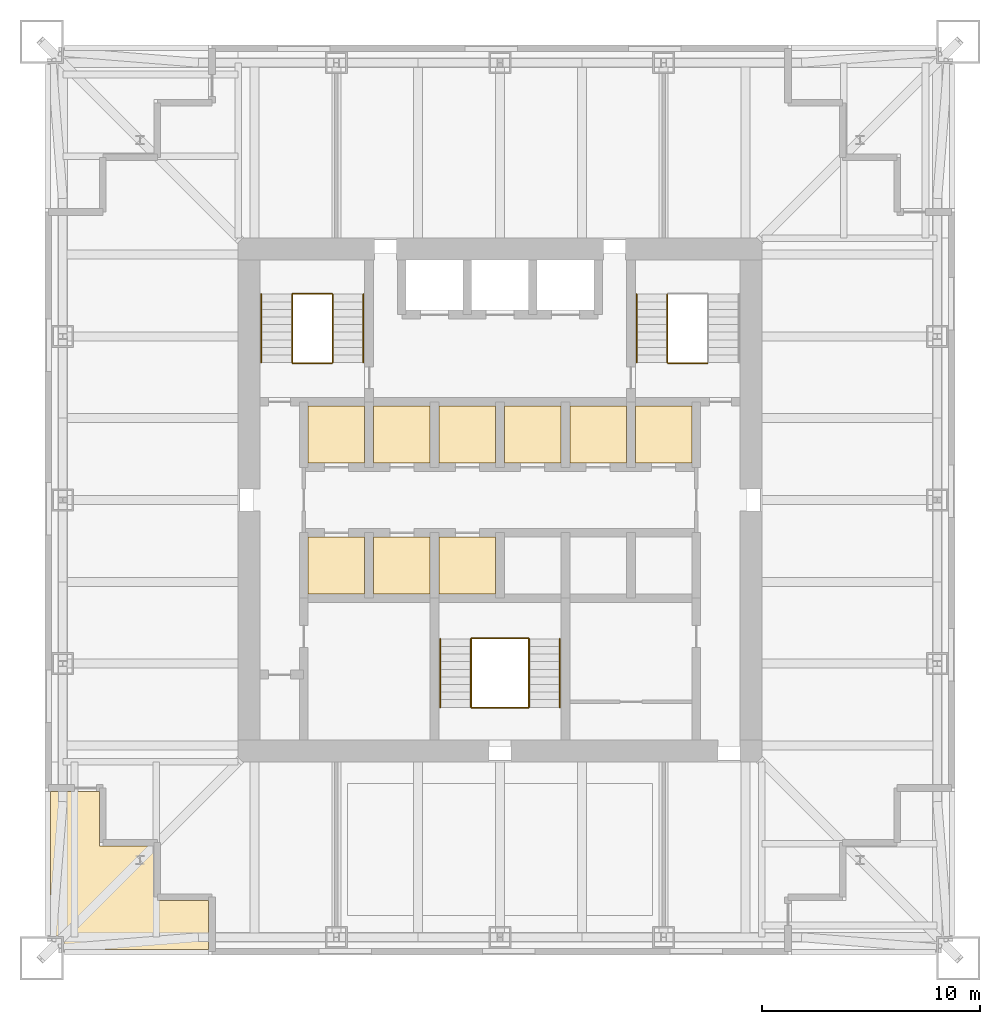
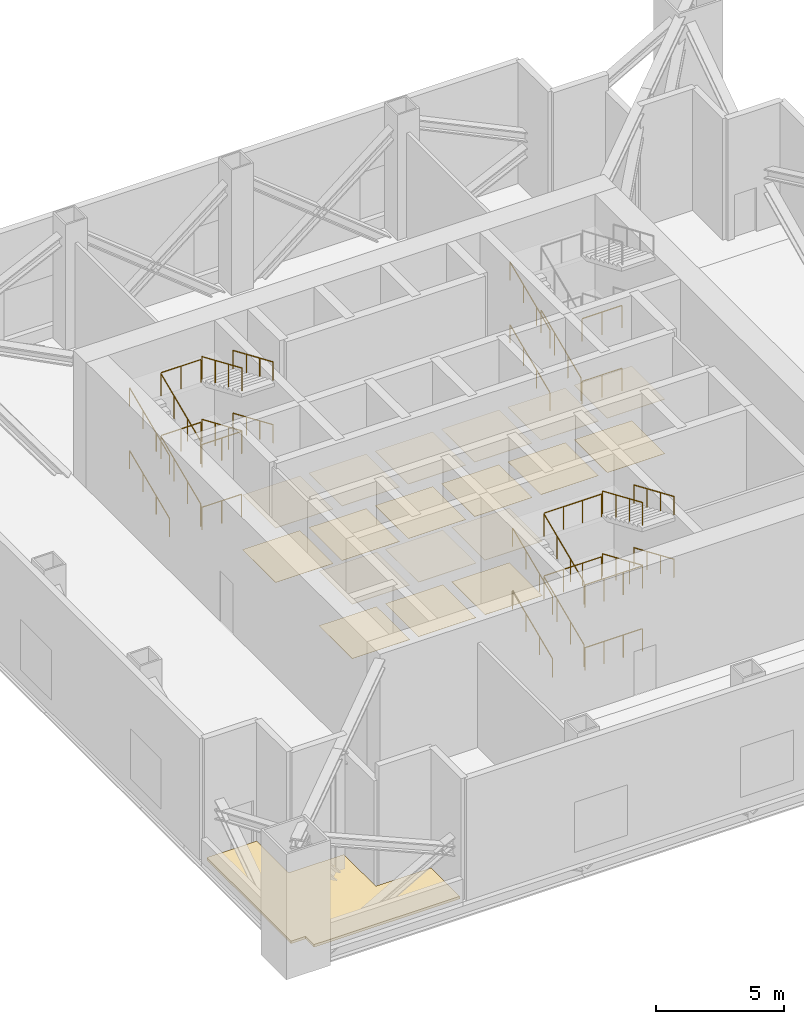
# One storey, part 6 of 7: 29 railings, 19 coverings.
"""IFC4 building model written with IfcOpenShell, lengths in metres."""

from ifc_helpers import new_model, si_unit, direction, frame, origin, origin_2d, place, context, subcontext, project, spatial, polyline, circle, outline, extrude, material, layer, layer_set, type_object, element, save


model = new_model("IFC4")

# Units and contexts
model_context = context("Model", 3, precision=1e-05, world=origin(), true_north=direction((0.0, 1.0)))
body_context = subcontext(model_context, "Body", "Model", "MODEL_VIEW")
ifc_project = project(units=[si_unit("LENGTHUNIT", "METRE"), si_unit("AREAUNIT", "SQUARE_METRE"), si_unit("VOLUMEUNIT", "CUBIC_METRE"), si_unit("PLANEANGLEUNIT", "RADIAN"), si_unit("MASSUNIT", "GRAM", prefix="KILO")], contexts=[model_context])

# Site, building, storey
site_placement = place(None, origin())
site = spatial("IfcSite", under=ifc_project, at=site_placement, CompositionType="ELEMENT")
building_placement = place(site_placement, origin())
building = spatial("IfcBuilding", under=site, at=building_placement, Name="Tarangal Relay Tower", CompositionType="ELEMENT")
storey_placement = place(building_placement, frame((0.0, 0.0, 335.89990234375)))
storey = spatial("IfcBuildingStorey", under=building, at=storey_placement, Name="L75", CompositionType="ELEMENT", Elevation=335.89990234375)

# Coverings
ifc_material_1 = material(Name="Anti-static vinyl flooring", Category="plastic")
ifc_layer_1 = layer(ifc_material_1, 0.010009765625)
ifc_layer_set_1 = layer_set([ifc_layer_1], Name="Anti-static vinyl floor")
covering_type_1 = type_object("IfcCoveringType", Name="Anti-static vinyl floor", PredefinedType="FLOORING", material=ifc_layer_set_1)
covering_1_placement = place(storey_placement, origin())
element("IfcCovering", 1, at=covering_1_placement, inside=storey, type_object=covering_type_1, Name="Floor finish FL1 L75-D1", PredefinedType="FLOORING", context=body_context, shape_type="SweptSolid", body=[
    extrude(outline(polyline([(-8.800048828125, 1.699951171875), (-6.199951171875, 1.699951171875), (-6.199951171875, 4.300048828125), (-8.800048828125, 4.300048828125), (-8.800048828125, 1.699951171875)])), origin(), (0.0, 0.0, 1.0), 0.010009765625),
])
covering_2_placement = place(storey_placement, origin())
element("IfcCovering", 2, at=covering_2_placement, inside=storey, type_object=covering_type_1, Name="Floor finish FL1 L75-D2", PredefinedType="FLOORING", context=body_context, shape_type="SweptSolid", body=[
    extrude(outline(polyline([(-5.800048828125, 1.699951171875), (-3.199951171875, 1.699951171875), (-3.199951171875, 4.300048828125), (-5.800048828125, 4.300048828125), (-5.800048828125, 1.699951171875)])), origin(), (0.0, 0.0, 1.0), 0.010009765625),
])
covering_3_placement = place(storey_placement, origin())
element("IfcCovering", 3, at=covering_3_placement, inside=storey, type_object=covering_type_1, Name="Floor finish FL1 L75-D3", PredefinedType="FLOORING", context=body_context, shape_type="SweptSolid", body=[
    extrude(outline(polyline([(-2.800048828125, 1.699951171875), (-0.199951171875, 1.699951171875), (-0.199951171875, 4.300048828125), (-2.800048828125, 4.300048828125), (-2.800048828125, 1.699951171875)])), origin(), (0.0, 0.0, 1.0), 0.010009765625),
])
covering_4_placement = place(storey_placement, origin())
element("IfcCovering", 4, at=covering_4_placement, inside=storey, type_object=covering_type_1, Name="Floor finish FL1 L75-T1", PredefinedType="FLOORING", context=body_context, shape_type="SweptSolid", body=[
    extrude(outline(polyline([(0.199951171875, 1.699951171875), (2.800048828125, 1.699951171875), (2.800048828125, 4.300048828125), (0.199951171875, 4.300048828125), (0.199951171875, 1.699951171875)])), origin(), (0.0, 0.0, 1.0), 0.010009765625),
])
covering_5_placement = place(storey_placement, origin())
element("IfcCovering", 5, at=covering_5_placement, inside=storey, type_object=covering_type_1, Name="Floor finish FL1 L75-T2", PredefinedType="FLOORING", context=body_context, shape_type="SweptSolid", body=[
    extrude(outline(polyline([(3.199951171875, 1.699951171875), (5.800048828125, 1.699951171875), (5.800048828125, 4.300048828125), (3.199951171875, 4.300048828125), (3.199951171875, 1.699951171875)])), origin(), (0.0, 0.0, 1.0), 0.010009765625),
])
covering_6_placement = place(storey_placement, origin())
element("IfcCovering", 6, at=covering_6_placement, inside=storey, type_object=covering_type_1, Name="Floor finish FL1 L75-T3", PredefinedType="FLOORING", context=body_context, shape_type="SweptSolid", body=[
    extrude(outline(polyline([(6.199951171875, 1.699951171875), (8.800048828125, 1.699951171875), (8.800048828125, 4.300048828125), (6.199951171875, 4.300048828125), (6.199951171875, 1.699951171875)])), origin(), (0.0, 0.0, 1.0), 0.010009765625),
])
covering_7_placement = place(storey_placement, origin())
element("IfcCovering", 7, at=covering_7_placement, inside=storey, type_object=covering_type_1, Name="Floor finish FL1 L75-S1", PredefinedType="FLOORING", context=body_context, shape_type="SweptSolid", body=[
    extrude(outline(polyline([(-8.800048828125, -4.300048828125), (-6.199951171875, -4.300048828125), (-6.199951171875, -1.699951171875), (-8.800048828125, -1.699951171875), (-8.800048828125, -4.300048828125)])), origin(), (0.0, 0.0, 1.0), 0.010009765625),
])
covering_8_placement = place(storey_placement, origin())
element("IfcCovering", 8, at=covering_8_placement, inside=storey, type_object=covering_type_1, Name="Floor finish FL1 L75-S2", PredefinedType="FLOORING", context=body_context, shape_type="SweptSolid", body=[
    extrude(outline(polyline([(-5.800048828125, -4.300048828125), (-3.199951171875, -4.300048828125), (-3.199951171875, -1.699951171875), (-5.800048828125, -1.699951171875), (-5.800048828125, -4.300048828125)])), origin(), (0.0, 0.0, 1.0), 0.010009765625),
])
covering_9_placement = place(storey_placement, origin())
element("IfcCovering", 9, at=covering_9_placement, inside=storey, type_object=covering_type_1, Name="Floor finish FL1 L75-S3", PredefinedType="FLOORING", context=body_context, shape_type="SweptSolid", body=[
    extrude(outline(polyline([(-2.800048828125, -4.300048828125), (-0.199951171875, -4.300048828125), (-0.199951171875, -1.699951171875), (-2.800048828125, -1.699951171875), (-2.800048828125, -4.300048828125)])), origin(), (0.0, 0.0, 1.0), 0.010009765625),
])
ifc_material_2 = material(Name="Bituminous membrane on rigid insulation", Category="plastic")
ifc_layer_2 = layer(ifc_material_2, 0.1201171875)
ifc_layer_set_2 = layer_set([ifc_layer_2], Name="Roof membrane and insulation")
covering_type_2 = type_object("IfcCoveringType", Name="Roof membrane and insulation", PredefinedType="ROOFING", material=ifc_layer_set_2)
covering_10_placement = place(storey_placement, origin())
element("IfcCovering", 10, at=covering_10_placement, inside=storey, type_object=covering_type_2, Name="Ledge roofing RF2 SW L75", PredefinedType="ROOFING", context=body_context, shape_type="SweptSolid", body=[
    extrude(outline(polyline([(-19.949951171875, -19.949951171875), (-19.949951171875, -20.60009765625), (-13.35009765625, -20.60009765625), (-13.35009765625, -18.35009765625), (-15.85009765625, -18.35009765625), (-15.85009765625, -15.85009765625), (-18.35009765625, -15.85009765625), (-18.35009765625, -13.35009765625), (-20.60009765625, -13.35009765625), (-20.60009765625, -19.949951171875), (-19.949951171875, -19.949951171875)])), origin(), (0.0, 0.0, 1.0), 0.1201171875),
])

# Railings
ifc_material_3 = material(Name="Steel guard, black finish", Category="steel")
railing_type_1 = type_object("IfcRailingType", Name="Stair guard 1100", PredefinedType="GUARDRAIL", material=ifc_material_3)
railing_1_placement = place(storey_placement, frame((-9.530029296875, 6.300048828125, 0.150146484375)))
element("IfcRailing", 11, at=railing_1_placement, inside=storey, type_object=railing_type_1, Name="Stair ST-A guard GR1 L75 flight 1", PredefinedType="GUARDRAIL", context=body_context, shape_type="SweptSolid", body=[
    extrude(circle(Radius=0.02392578125, at=origin_2d()), frame((0.0, 0.0, 1.076171875), z_axis=(0.0, 0.918332162045, 0.395810611471), x_axis=(-1.0, 0.0, 0.0)), (0.0, 0.0, 1.0), 3.410400390625),
    extrude(circle(Radius=0.02099609375, at=origin_2d()), origin(), (0.0, 0.0, 1.0), 1.052001953125),
    extrude(circle(Radius=0.02099609375, at=origin_2d()), frame((0.0, 1.0439453125, 0.449951171875)), (0.0, 0.0, 1.0), 1.052001953125),
    extrude(circle(Radius=0.02099609375, at=origin_2d()), frame((0.0, 2.087890625, 0.89990234375)), (0.0, 0.0, 1.0), 1.052001953125),
    extrude(circle(Radius=0.02099609375, at=origin_2d()), frame((0.0, 3.1318359375, 1.349853515625)), (0.0, 0.0, 1.0), 1.052001953125),
])
railing_2_placement = place(storey_placement, frame((-7.669921875, 9.431884765625, 1.650146484375)))
element("IfcRailing", 12, at=railing_2_placement, inside=storey, type_object=railing_type_1, Name="Stair ST-A guard GR1 L75 flight 2", PredefinedType="GUARDRAIL", context=body_context, shape_type="SweptSolid", body=[
    extrude(circle(Radius=0.02392578125, at=origin_2d()), frame((0.0, 0.0, 1.076171875), z_axis=(0.0, -0.918332162045, 0.395810611471), x_axis=(1.0, 0.0, 0.0)), (0.0, 0.0, 1.0), 3.410400390625),
    extrude(circle(Radius=0.02099609375, at=origin_2d()), origin(), (0.0, 0.0, 1.0), 1.052001953125),
    extrude(circle(Radius=0.02099609375, at=origin_2d()), frame((0.0, -1.0439453125, 0.449951171875)), (0.0, 0.0, 1.0), 1.052001953125),
    extrude(circle(Radius=0.02099609375, at=origin_2d()), frame((0.0, -2.087890625, 0.89990234375)), (0.0, 0.0, 1.0), 1.052001953125),
    extrude(circle(Radius=0.02099609375, at=origin_2d()), frame((0.0, -3.1318359375, 1.349853515625)), (0.0, 0.0, 1.0), 1.052001953125),
])
railing_3_placement = place(storey_placement, frame((-9.530029296875, 6.300048828125, 3.150146484375)))
element("IfcRailing", 13, at=railing_3_placement, inside=storey, type_object=railing_type_1, Name="Stair ST-A guard GR1 L75 flight 3", PredefinedType="GUARDRAIL", context=body_context, shape_type="SweptSolid", body=[
    extrude(circle(Radius=0.02392578125, at=origin_2d()), frame((0.0, 0.0, 1.076171875), z_axis=(0.0, 0.918332162045, 0.395810611471), x_axis=(-1.0, 0.0, 0.0)), (0.0, 0.0, 1.0), 3.410400390625),
    extrude(circle(Radius=0.02099609375, at=origin_2d()), origin(), (0.0, 0.0, 1.0), 1.052001953125),
    extrude(circle(Radius=0.02099609375, at=origin_2d()), frame((0.0, 1.0439453125, 0.449951171875)), (0.0, 0.0, 1.0), 1.052001953125),
    extrude(circle(Radius=0.02099609375, at=origin_2d()), frame((0.0, 2.087890625, 0.89990234375)), (0.0, 0.0, 1.0), 1.052001953125),
    extrude(circle(Radius=0.02099609375, at=origin_2d()), frame((0.0, 3.1318359375, 1.349853515625)), (0.0, 0.0, 1.0), 1.052001953125),
])
railing_4_placement = place(storey_placement, frame((-7.669921875, 9.431884765625, 4.650146484375)))
element("IfcRailing", 14, at=railing_4_placement, inside=storey, type_object=railing_type_1, Name="Stair ST-A guard GR1 L75 flight 4", PredefinedType="GUARDRAIL", context=body_context, shape_type="SweptSolid", body=[
    extrude(circle(Radius=0.02392578125, at=origin_2d()), frame((0.0, 0.0, 1.076171875), z_axis=(0.0, -0.918332162045, 0.395810611471), x_axis=(1.0, 0.0, 0.0)), (0.0, 0.0, 1.0), 3.410400390625),
    extrude(circle(Radius=0.02099609375, at=origin_2d()), origin(), (0.0, 0.0, 1.0), 1.052001953125),
    extrude(circle(Radius=0.02099609375, at=origin_2d()), frame((0.0, -1.0439453125, 0.449951171875)), (0.0, 0.0, 1.0), 1.052001953125),
    extrude(circle(Radius=0.02099609375, at=origin_2d()), frame((0.0, -2.087890625, 0.89990234375)), (0.0, 0.0, 1.0), 1.052001953125),
    extrude(circle(Radius=0.02099609375, at=origin_2d()), frame((0.0, -3.1318359375, 1.349853515625)), (0.0, 0.0, 1.0), 1.052001953125),
])
for number, where, name in (
    (15, (-9.5, 6.27001953125, 0.0), "Stair ST-A landing guard GR1 L75"),
    (16, (-9.5, 9.4619140625, 1.5), "Stair ST-A landing guard GR1 L75"),
    (17, (-9.5, 6.27001953125, 3.0), "Stair ST-A landing guard GR1 L75"),
    (18, (-9.5, 9.4619140625, 4.5), "Stair ST-A landing guard GR1 L75"),
):
    element("IfcRailing", number, at=place(storey_placement, frame(where)), inside=storey, type_object=railing_type_1, Name=name, PredefinedType="GUARDRAIL", context=body_context, shape_type="SweptSolid", body=[
        extrude(circle(Radius=0.02392578125, at=origin_2d()), frame((0.0, 0.0, 1.076171875), z_axis=(1.0, 0.0, 0.0), x_axis=(0.0, 1.0, 0.0)), (0.0, 0.0, 1.0), 1.800048828125),
        extrude(circle(Radius=0.02099609375, at=origin_2d()), origin(), (0.0, 0.0, 1.0), 1.052001953125),
        extrude(circle(Radius=0.02099609375, at=origin_2d()), frame((0.89990234375, 0.0, 0.0)), (0.0, 0.0, 1.0), 1.052001953125),
        extrude(circle(Radius=0.02099609375, at=origin_2d()), frame((1.800048828125, 0.0, 0.0)), (0.0, 0.0, 1.0), 1.052001953125),
    ])
railing_5_placement = place(storey_placement, frame((7.669921875, 6.300048828125, 0.150146484375)))
element("IfcRailing", 19, at=railing_5_placement, inside=storey, type_object=railing_type_1, Name="Stair ST-B guard GR1 L75 flight 1", PredefinedType="GUARDRAIL", context=body_context, shape_type="SweptSolid", body=[
    extrude(circle(Radius=0.02392578125, at=origin_2d()), frame((0.0, 0.0, 1.076171875), z_axis=(0.0, 0.918332162045, 0.395810611471), x_axis=(-1.0, 0.0, 0.0)), (0.0, 0.0, 1.0), 3.410400390625),
    extrude(circle(Radius=0.02099609375, at=origin_2d()), origin(), (0.0, 0.0, 1.0), 1.052001953125),
    extrude(circle(Radius=0.02099609375, at=origin_2d()), frame((0.0, 1.0439453125, 0.449951171875)), (0.0, 0.0, 1.0), 1.052001953125),
    extrude(circle(Radius=0.02099609375, at=origin_2d()), frame((0.0, 2.087890625, 0.89990234375)), (0.0, 0.0, 1.0), 1.052001953125),
    extrude(circle(Radius=0.02099609375, at=origin_2d()), frame((0.0, 3.1318359375, 1.349853515625)), (0.0, 0.0, 1.0), 1.052001953125),
])
for number, where, name in (
    (20, (7.699951171875, 6.27001953125, 0.0), "Stair ST-B landing guard GR1 L75"),
    (21, (7.699951171875, 6.27001953125, 3.0), "Stair ST-B landing guard GR1 L75"),
):
    element("IfcRailing", number, at=place(storey_placement, frame(where)), inside=storey, type_object=railing_type_1, Name=name, PredefinedType="GUARDRAIL", context=body_context, shape_type="SweptSolid", body=[
        extrude(circle(Radius=0.02392578125, at=origin_2d()), frame((0.0, 0.0, 1.076171875), z_axis=(1.0, 0.0, 0.0), x_axis=(0.0, 1.0, 0.0)), (0.0, 0.0, 1.0), 1.800048828125),
        extrude(circle(Radius=0.02099609375, at=origin_2d()), origin(), (0.0, 0.0, 1.0), 1.052001953125),
        extrude(circle(Radius=0.02099609375, at=origin_2d()), frame((0.89990234375, 0.0, 0.0)), (0.0, 0.0, 1.0), 1.052001953125),
        extrude(circle(Radius=0.02099609375, at=origin_2d()), frame((1.800048828125, 0.0, 0.0)), (0.0, 0.0, 1.0), 1.052001953125),
    ])
railing_6_placement = place(storey_placement, frame((-1.330078125, -9.5, 0.150146484375)))
element("IfcRailing", 22, at=railing_6_placement, inside=storey, type_object=railing_type_1, Name="Stair ST-C guard GR1 L75 flight 1", PredefinedType="GUARDRAIL", context=body_context, shape_type="SweptSolid", body=[
    extrude(circle(Radius=0.02392578125, at=origin_2d()), frame((0.0, 0.0, 1.076171875), z_axis=(0.0, 0.918343376364, 0.395784591778), x_axis=(-1.0, 0.0, 0.0)), (0.0, 0.0, 1.0), 3.41064453125),
    extrude(circle(Radius=0.02099609375, at=origin_2d()), origin(), (0.0, 0.0, 1.0), 1.052001953125),
    extrude(circle(Radius=0.02099609375, at=origin_2d()), frame((0.0, 1.0439453125, 0.449951171875)), (0.0, 0.0, 1.0), 1.052001953125),
    extrude(circle(Radius=0.02099609375, at=origin_2d()), frame((0.0, 2.088134765625, 0.89990234375)), (0.0, 0.0, 1.0), 1.052001953125),
    extrude(circle(Radius=0.02099609375, at=origin_2d()), frame((0.0, 3.132080078125, 1.349853515625)), (0.0, 0.0, 1.0), 1.052001953125),
])
railing_7_placement = place(storey_placement, frame((1.330078125, -6.367919921875, 1.650146484375)))
element("IfcRailing", 23, at=railing_7_placement, inside=storey, type_object=railing_type_1, Name="Stair ST-C guard GR1 L75 flight 2", PredefinedType="GUARDRAIL", context=body_context, shape_type="SweptSolid", body=[
    extrude(circle(Radius=0.02392578125, at=origin_2d()), frame((0.0, 0.0, 1.076171875), z_axis=(0.0, -0.918343376364, 0.395784591778), x_axis=(1.0, 0.0, 0.0)), (0.0, 0.0, 1.0), 3.41064453125),
    extrude(circle(Radius=0.02099609375, at=origin_2d()), origin(), (0.0, 0.0, 1.0), 1.052001953125),
    extrude(circle(Radius=0.02099609375, at=origin_2d()), frame((0.0, -1.0439453125, 0.449951171875)), (0.0, 0.0, 1.0), 1.052001953125),
    extrude(circle(Radius=0.02099609375, at=origin_2d()), frame((0.0, -2.088134765625, 0.89990234375)), (0.0, 0.0, 1.0), 1.052001953125),
    extrude(circle(Radius=0.02099609375, at=origin_2d()), frame((0.0, -3.132080078125, 1.349853515625)), (0.0, 0.0, 1.0), 1.052001953125),
])
railing_8_placement = place(storey_placement, frame((-1.330078125, -9.5, 3.150146484375)))
element("IfcRailing", 24, at=railing_8_placement, inside=storey, type_object=railing_type_1, Name="Stair ST-C guard GR1 L75 flight 3", PredefinedType="GUARDRAIL", context=body_context, shape_type="SweptSolid", body=[
    extrude(circle(Radius=0.02392578125, at=origin_2d()), frame((0.0, 0.0, 1.076171875), z_axis=(0.0, 0.918343376364, 0.395784591778), x_axis=(-1.0, 0.0, 0.0)), (0.0, 0.0, 1.0), 3.41064453125),
    extrude(circle(Radius=0.02099609375, at=origin_2d()), origin(), (0.0, 0.0, 1.0), 1.052001953125),
    extrude(circle(Radius=0.02099609375, at=origin_2d()), frame((0.0, 1.0439453125, 0.449951171875)), (0.0, 0.0, 1.0), 1.052001953125),
    extrude(circle(Radius=0.02099609375, at=origin_2d()), frame((0.0, 2.088134765625, 0.89990234375)), (0.0, 0.0, 1.0), 1.052001953125),
    extrude(circle(Radius=0.02099609375, at=origin_2d()), frame((0.0, 3.132080078125, 1.349853515625)), (0.0, 0.0, 1.0), 1.052001953125),
])
railing_9_placement = place(storey_placement, frame((1.330078125, -6.367919921875, 4.650146484375)))
element("IfcRailing", 25, at=railing_9_placement, inside=storey, type_object=railing_type_1, Name="Stair ST-C guard GR1 L75 flight 4", PredefinedType="GUARDRAIL", context=body_context, shape_type="SweptSolid", body=[
    extrude(circle(Radius=0.02392578125, at=origin_2d()), frame((0.0, 0.0, 1.076171875), z_axis=(0.0, -0.918343376364, 0.395784591778), x_axis=(1.0, 0.0, 0.0)), (0.0, 0.0, 1.0), 3.41064453125),
    extrude(circle(Radius=0.02099609375, at=origin_2d()), origin(), (0.0, 0.0, 1.0), 1.052001953125),
    extrude(circle(Radius=0.02099609375, at=origin_2d()), frame((0.0, -1.0439453125, 0.449951171875)), (0.0, 0.0, 1.0), 1.052001953125),
    extrude(circle(Radius=0.02099609375, at=origin_2d()), frame((0.0, -2.088134765625, 0.89990234375)), (0.0, 0.0, 1.0), 1.052001953125),
    extrude(circle(Radius=0.02099609375, at=origin_2d()), frame((0.0, -3.132080078125, 1.349853515625)), (0.0, 0.0, 1.0), 1.052001953125),
])
for number, where, name in (
    (26, (-1.300048828125, -9.530029296875, 0.0), "Stair ST-C landing guard GR1 L75"),
    (27, (-1.300048828125, -6.337890625, 1.5), "Stair ST-C landing guard GR1 L75"),
    (28, (-1.300048828125, -9.530029296875, 3.0), "Stair ST-C landing guard GR1 L75"),
    (29, (-1.300048828125, -6.337890625, 4.5), "Stair ST-C landing guard GR1 L75"),
):
    element("IfcRailing", number, at=place(storey_placement, frame(where)), inside=storey, type_object=railing_type_1, Name=name, PredefinedType="GUARDRAIL", context=body_context, shape_type="SweptSolid", body=[
        extrude(circle(Radius=0.02392578125, at=origin_2d()), frame((0.0, 0.0, 1.076171875), z_axis=(1.0, 0.0, 0.0), x_axis=(0.0, 1.0, 0.0)), (0.0, 0.0, 1.0), 2.60009765625),
        extrude(circle(Radius=0.02099609375, at=origin_2d()), origin(), (0.0, 0.0, 1.0), 1.052001953125),
        extrude(circle(Radius=0.02099609375, at=origin_2d()), frame((0.86669921875, 0.0, 0.0)), (0.0, 0.0, 1.0), 1.052001953125),
        extrude(circle(Radius=0.02099609375, at=origin_2d()), frame((1.7333984375, 0.0, 0.0)), (0.0, 0.0, 1.0), 1.052001953125),
        extrude(circle(Radius=0.02099609375, at=origin_2d()), frame((2.60009765625, 0.0, 0.0)), (0.0, 0.0, 1.0), 1.052001953125),
    ])
ifc_material_4 = material(Name="Steel handrail, black finish", Category="steel")
railing_type_2 = type_object("IfcRailingType", Name="Stair handrail 900", PredefinedType="HANDRAIL", material=ifc_material_4)
railing_10_placement = place(storey_placement, frame((-10.93994140625, 6.300048828125, 0.150146484375)))
element("IfcRailing", 30, at=railing_10_placement, inside=storey, type_object=railing_type_2, Name="Stair ST-A handrail HR1 L75 flight 1", PredefinedType="HANDRAIL", context=body_context, shape_type="SweptSolid", body=[
    extrude(circle(Radius=0.02392578125, at=origin_2d()), frame((0.0, 0.0, 0.8759765625), z_axis=(0.0, 0.918332162045, 0.395810611471), x_axis=(-1.0, 0.0, 0.0)), (0.0, 0.0, 1.0), 3.410400390625),
    extrude(circle(Radius=0.02099609375, at=origin_2d()), origin(), (0.0, 0.0, 1.0), 0.851806640625),
    extrude(circle(Radius=0.02099609375, at=origin_2d()), frame((0.0, 1.0439453125, 0.449951171875)), (0.0, 0.0, 1.0), 0.851806640625),
    extrude(circle(Radius=0.02099609375, at=origin_2d()), frame((0.0, 2.087890625, 0.89990234375)), (0.0, 0.0, 1.0), 0.851806640625),
    extrude(circle(Radius=0.02099609375, at=origin_2d()), frame((0.0, 3.1318359375, 1.349853515625)), (0.0, 0.0, 1.0), 0.851806640625),
])
railing_11_placement = place(storey_placement, frame((-6.260009765625, 9.431884765625, 1.650146484375)))
element("IfcRailing", 31, at=railing_11_placement, inside=storey, type_object=railing_type_2, Name="Stair ST-A handrail HR1 L75 flight 2", PredefinedType="HANDRAIL", context=body_context, shape_type="SweptSolid", body=[
    extrude(circle(Radius=0.02392578125, at=origin_2d()), frame((0.0, 0.0, 0.8759765625), z_axis=(0.0, -0.918332162045, 0.395810611471), x_axis=(1.0, 0.0, 0.0)), (0.0, 0.0, 1.0), 3.410400390625),
    extrude(circle(Radius=0.02099609375, at=origin_2d()), origin(), (0.0, 0.0, 1.0), 0.851806640625),
    extrude(circle(Radius=0.02099609375, at=origin_2d()), frame((0.0, -1.0439453125, 0.449951171875)), (0.0, 0.0, 1.0), 0.851806640625),
    extrude(circle(Radius=0.02099609375, at=origin_2d()), frame((0.0, -2.087890625, 0.89990234375)), (0.0, 0.0, 1.0), 0.851806640625),
    extrude(circle(Radius=0.02099609375, at=origin_2d()), frame((0.0, -3.1318359375, 1.349853515625)), (0.0, 0.0, 1.0), 0.851806640625),
])
railing_12_placement = place(storey_placement, frame((-10.93994140625, 6.300048828125, 3.150146484375)))
element("IfcRailing", 32, at=railing_12_placement, inside=storey, type_object=railing_type_2, Name="Stair ST-A handrail HR1 L75 flight 3", PredefinedType="HANDRAIL", context=body_context, shape_type="SweptSolid", body=[
    extrude(circle(Radius=0.02392578125, at=origin_2d()), frame((0.0, 0.0, 0.8759765625), z_axis=(0.0, 0.918332162045, 0.395810611471), x_axis=(-1.0, 0.0, 0.0)), (0.0, 0.0, 1.0), 3.410400390625),
    extrude(circle(Radius=0.02099609375, at=origin_2d()), origin(), (0.0, 0.0, 1.0), 0.851806640625),
    extrude(circle(Radius=0.02099609375, at=origin_2d()), frame((0.0, 1.0439453125, 0.449951171875)), (0.0, 0.0, 1.0), 0.851806640625),
    extrude(circle(Radius=0.02099609375, at=origin_2d()), frame((0.0, 2.087890625, 0.89990234375)), (0.0, 0.0, 1.0), 0.851806640625),
    extrude(circle(Radius=0.02099609375, at=origin_2d()), frame((0.0, 3.1318359375, 1.349853515625)), (0.0, 0.0, 1.0), 0.851806640625),
])
railing_13_placement = place(storey_placement, frame((-6.260009765625, 9.431884765625, 4.650146484375)))
element("IfcRailing", 33, at=railing_13_placement, inside=storey, type_object=railing_type_2, Name="Stair ST-A handrail HR1 L75 flight 4", PredefinedType="HANDRAIL", context=body_context, shape_type="SweptSolid", body=[
    extrude(circle(Radius=0.02392578125, at=origin_2d()), frame((0.0, 0.0, 0.8759765625), z_axis=(0.0, -0.918332162045, 0.395810611471), x_axis=(1.0, 0.0, 0.0)), (0.0, 0.0, 1.0), 3.410400390625),
    extrude(circle(Radius=0.02099609375, at=origin_2d()), origin(), (0.0, 0.0, 1.0), 0.851806640625),
    extrude(circle(Radius=0.02099609375, at=origin_2d()), frame((0.0, -1.0439453125, 0.449951171875)), (0.0, 0.0, 1.0), 0.851806640625),
    extrude(circle(Radius=0.02099609375, at=origin_2d()), frame((0.0, -2.087890625, 0.89990234375)), (0.0, 0.0, 1.0), 0.851806640625),
    extrude(circle(Radius=0.02099609375, at=origin_2d()), frame((0.0, -3.1318359375, 1.349853515625)), (0.0, 0.0, 1.0), 0.851806640625),
])
for number, where, name in (
    (34, (6.260009765625, 6.300048828125, 0.150146484375), "Stair ST-B handrail HR1 L75 flight 1"),
    (35, (6.260009765625, 6.300048828125, 3.150146484375), "Stair ST-B handrail HR1 L75 flight 3"),
):
    element("IfcRailing", number, at=place(storey_placement, frame(where)), inside=storey, type_object=railing_type_2, Name=name, PredefinedType="HANDRAIL", context=body_context, shape_type="SweptSolid", body=[
        extrude(circle(Radius=0.02392578125, at=origin_2d()), frame((0.0, 0.0, 0.8759765625), z_axis=(0.0, 0.918332162045, 0.395810611471), x_axis=(-1.0, 0.0, 0.0)), (0.0, 0.0, 1.0), 3.410400390625),
        extrude(circle(Radius=0.02099609375, at=origin_2d()), origin(), (0.0, 0.0, 1.0), 0.851806640625),
        extrude(circle(Radius=0.02099609375, at=origin_2d()), frame((0.0, 1.0439453125, 0.449951171875)), (0.0, 0.0, 1.0), 0.851806640625),
        extrude(circle(Radius=0.02099609375, at=origin_2d()), frame((0.0, 2.087890625, 0.89990234375)), (0.0, 0.0, 1.0), 0.851806640625),
        extrude(circle(Radius=0.02099609375, at=origin_2d()), frame((0.0, 3.1318359375, 1.349853515625)), (0.0, 0.0, 1.0), 0.851806640625),
    ])
railing_14_placement = place(storey_placement, frame((-2.739990234375, -9.5, 0.150146484375)))
element("IfcRailing", 36, at=railing_14_placement, inside=storey, type_object=railing_type_2, Name="Stair ST-C handrail HR1 L75 flight 1", PredefinedType="HANDRAIL", context=body_context, shape_type="SweptSolid", body=[
    extrude(circle(Radius=0.02392578125, at=origin_2d()), frame((0.0, 0.0, 0.8759765625), z_axis=(0.0, 0.918343376364, 0.395784591778), x_axis=(-1.0, 0.0, 0.0)), (0.0, 0.0, 1.0), 3.41064453125),
    extrude(circle(Radius=0.02099609375, at=origin_2d()), origin(), (0.0, 0.0, 1.0), 0.851806640625),
    extrude(circle(Radius=0.02099609375, at=origin_2d()), frame((0.0, 1.0439453125, 0.449951171875)), (0.0, 0.0, 1.0), 0.851806640625),
    extrude(circle(Radius=0.02099609375, at=origin_2d()), frame((0.0, 2.088134765625, 0.89990234375)), (0.0, 0.0, 1.0), 0.851806640625),
    extrude(circle(Radius=0.02099609375, at=origin_2d()), frame((0.0, 3.132080078125, 1.349853515625)), (0.0, 0.0, 1.0), 0.851806640625),
])
railing_15_placement = place(storey_placement, frame((2.739990234375, -6.367919921875, 1.650146484375)))
element("IfcRailing", 37, at=railing_15_placement, inside=storey, type_object=railing_type_2, Name="Stair ST-C handrail HR1 L75 flight 2", PredefinedType="HANDRAIL", context=body_context, shape_type="SweptSolid", body=[
    extrude(circle(Radius=0.02392578125, at=origin_2d()), frame((0.0, 0.0, 0.8759765625), z_axis=(0.0, -0.918343376364, 0.395784591778), x_axis=(1.0, 0.0, 0.0)), (0.0, 0.0, 1.0), 3.41064453125),
    extrude(circle(Radius=0.02099609375, at=origin_2d()), origin(), (0.0, 0.0, 1.0), 0.851806640625),
    extrude(circle(Radius=0.02099609375, at=origin_2d()), frame((0.0, -1.0439453125, 0.449951171875)), (0.0, 0.0, 1.0), 0.851806640625),
    extrude(circle(Radius=0.02099609375, at=origin_2d()), frame((0.0, -2.088134765625, 0.89990234375)), (0.0, 0.0, 1.0), 0.851806640625),
    extrude(circle(Radius=0.02099609375, at=origin_2d()), frame((0.0, -3.132080078125, 1.349853515625)), (0.0, 0.0, 1.0), 0.851806640625),
])
railing_16_placement = place(storey_placement, frame((-2.739990234375, -9.5, 3.150146484375)))
element("IfcRailing", 38, at=railing_16_placement, inside=storey, type_object=railing_type_2, Name="Stair ST-C handrail HR1 L75 flight 3", PredefinedType="HANDRAIL", context=body_context, shape_type="SweptSolid", body=[
    extrude(circle(Radius=0.02392578125, at=origin_2d()), frame((0.0, 0.0, 0.8759765625), z_axis=(0.0, 0.918343376364, 0.395784591778), x_axis=(-1.0, 0.0, 0.0)), (0.0, 0.0, 1.0), 3.41064453125),
    extrude(circle(Radius=0.02099609375, at=origin_2d()), origin(), (0.0, 0.0, 1.0), 0.851806640625),
    extrude(circle(Radius=0.02099609375, at=origin_2d()), frame((0.0, 1.0439453125, 0.449951171875)), (0.0, 0.0, 1.0), 0.851806640625),
    extrude(circle(Radius=0.02099609375, at=origin_2d()), frame((0.0, 2.088134765625, 0.89990234375)), (0.0, 0.0, 1.0), 0.851806640625),
    extrude(circle(Radius=0.02099609375, at=origin_2d()), frame((0.0, 3.132080078125, 1.349853515625)), (0.0, 0.0, 1.0), 0.851806640625),
])
railing_17_placement = place(storey_placement, frame((2.739990234375, -6.367919921875, 4.650146484375)))
element("IfcRailing", 39, at=railing_17_placement, inside=storey, type_object=railing_type_2, Name="Stair ST-C handrail HR1 L75 flight 4", PredefinedType="HANDRAIL", context=body_context, shape_type="SweptSolid", body=[
    extrude(circle(Radius=0.02392578125, at=origin_2d()), frame((0.0, 0.0, 0.8759765625), z_axis=(0.0, -0.918343376364, 0.395784591778), x_axis=(1.0, 0.0, 0.0)), (0.0, 0.0, 1.0), 3.41064453125),
    extrude(circle(Radius=0.02099609375, at=origin_2d()), origin(), (0.0, 0.0, 1.0), 0.851806640625),
    extrude(circle(Radius=0.02099609375, at=origin_2d()), frame((0.0, -1.0439453125, 0.449951171875)), (0.0, 0.0, 1.0), 0.851806640625),
    extrude(circle(Radius=0.02099609375, at=origin_2d()), frame((0.0, -2.088134765625, 0.89990234375)), (0.0, 0.0, 1.0), 0.851806640625),
    extrude(circle(Radius=0.02099609375, at=origin_2d()), frame((0.0, -3.132080078125, 1.349853515625)), (0.0, 0.0, 1.0), 0.851806640625),
])

# Coverings
ifc_material_5 = material(Name="Mineral fibre ceiling tiles", Category="gypsum")
ifc_layer_3 = layer(ifc_material_5, 0.02001953125)
ifc_layer_set_3 = layer_set([ifc_layer_3], Name="Suspended ceiling")
covering_type_3 = type_object("IfcCoveringType", Name="Suspended ceiling", PredefinedType="CEILING", material=ifc_layer_set_3)
covering_11_placement = place(storey_placement, frame((0.0, 0.0, 2.60009765625)))
element("IfcCovering", 40, at=covering_11_placement, inside=storey, type_object=covering_type_3, Name="Suspended ceiling CL1 L75-D1", PredefinedType="CEILING", context=body_context, shape_type="SweptSolid", body=[
    extrude(outline(polyline([(-8.800048828125, 1.699951171875), (-6.199951171875, 1.699951171875), (-6.199951171875, 4.300048828125), (-8.800048828125, 4.300048828125), (-8.800048828125, 1.699951171875)])), origin(), (0.0, 0.0, 1.0), 0.02001953125),
])
covering_12_placement = place(storey_placement, frame((0.0, 0.0, 2.60009765625)))
element("IfcCovering", 41, at=covering_12_placement, inside=storey, type_object=covering_type_3, Name="Suspended ceiling CL1 L75-D2", PredefinedType="CEILING", context=body_context, shape_type="SweptSolid", body=[
    extrude(outline(polyline([(-5.800048828125, 1.699951171875), (-3.199951171875, 1.699951171875), (-3.199951171875, 4.300048828125), (-5.800048828125, 4.300048828125), (-5.800048828125, 1.699951171875)])), origin(), (0.0, 0.0, 1.0), 0.02001953125),
])
covering_13_placement = place(storey_placement, frame((0.0, 0.0, 2.60009765625)))
element("IfcCovering", 42, at=covering_13_placement, inside=storey, type_object=covering_type_3, Name="Suspended ceiling CL1 L75-D3", PredefinedType="CEILING", context=body_context, shape_type="SweptSolid", body=[
    extrude(outline(polyline([(-2.800048828125, 1.699951171875), (-0.199951171875, 1.699951171875), (-0.199951171875, 4.300048828125), (-2.800048828125, 4.300048828125), (-2.800048828125, 1.699951171875)])), origin(), (0.0, 0.0, 1.0), 0.02001953125),
])
covering_14_placement = place(storey_placement, frame((0.0, 0.0, 2.60009765625)))
element("IfcCovering", 43, at=covering_14_placement, inside=storey, type_object=covering_type_3, Name="Suspended ceiling CL1 L75-T1", PredefinedType="CEILING", context=body_context, shape_type="SweptSolid", body=[
    extrude(outline(polyline([(0.199951171875, 1.699951171875), (2.800048828125, 1.699951171875), (2.800048828125, 4.300048828125), (0.199951171875, 4.300048828125), (0.199951171875, 1.699951171875)])), origin(), (0.0, 0.0, 1.0), 0.02001953125),
])
covering_15_placement = place(storey_placement, frame((0.0, 0.0, 2.60009765625)))
element("IfcCovering", 44, at=covering_15_placement, inside=storey, type_object=covering_type_3, Name="Suspended ceiling CL1 L75-T2", PredefinedType="CEILING", context=body_context, shape_type="SweptSolid", body=[
    extrude(outline(polyline([(3.199951171875, 1.699951171875), (5.800048828125, 1.699951171875), (5.800048828125, 4.300048828125), (3.199951171875, 4.300048828125), (3.199951171875, 1.699951171875)])), origin(), (0.0, 0.0, 1.0), 0.02001953125),
])
covering_16_placement = place(storey_placement, frame((0.0, 0.0, 2.60009765625)))
element("IfcCovering", 45, at=covering_16_placement, inside=storey, type_object=covering_type_3, Name="Suspended ceiling CL1 L75-T3", PredefinedType="CEILING", context=body_context, shape_type="SweptSolid", body=[
    extrude(outline(polyline([(6.199951171875, 1.699951171875), (8.800048828125, 1.699951171875), (8.800048828125, 4.300048828125), (6.199951171875, 4.300048828125), (6.199951171875, 1.699951171875)])), origin(), (0.0, 0.0, 1.0), 0.02001953125),
])
covering_17_placement = place(storey_placement, frame((0.0, 0.0, 2.60009765625)))
element("IfcCovering", 46, at=covering_17_placement, inside=storey, type_object=covering_type_3, Name="Suspended ceiling CL1 L75-S1", PredefinedType="CEILING", context=body_context, shape_type="SweptSolid", body=[
    extrude(outline(polyline([(-8.800048828125, -4.300048828125), (-6.199951171875, -4.300048828125), (-6.199951171875, -1.699951171875), (-8.800048828125, -1.699951171875), (-8.800048828125, -4.300048828125)])), origin(), (0.0, 0.0, 1.0), 0.02001953125),
])
covering_18_placement = place(storey_placement, frame((0.0, 0.0, 2.60009765625)))
element("IfcCovering", 47, at=covering_18_placement, inside=storey, type_object=covering_type_3, Name="Suspended ceiling CL1 L75-S2", PredefinedType="CEILING", context=body_context, shape_type="SweptSolid", body=[
    extrude(outline(polyline([(-5.800048828125, -4.300048828125), (-3.199951171875, -4.300048828125), (-3.199951171875, -1.699951171875), (-5.800048828125, -1.699951171875), (-5.800048828125, -4.300048828125)])), origin(), (0.0, 0.0, 1.0), 0.02001953125),
])
covering_19_placement = place(storey_placement, frame((0.0, 0.0, 2.60009765625)))
element("IfcCovering", 48, at=covering_19_placement, inside=storey, type_object=covering_type_3, Name="Suspended ceiling CL1 L75-S3", PredefinedType="CEILING", context=body_context, shape_type="SweptSolid", body=[
    extrude(outline(polyline([(-2.800048828125, -4.300048828125), (-0.199951171875, -4.300048828125), (-0.199951171875, -1.699951171875), (-2.800048828125, -1.699951171875), (-2.800048828125, -4.300048828125)])), origin(), (0.0, 0.0, 1.0), 0.02001953125),
])

save(model, "model.ifc")
